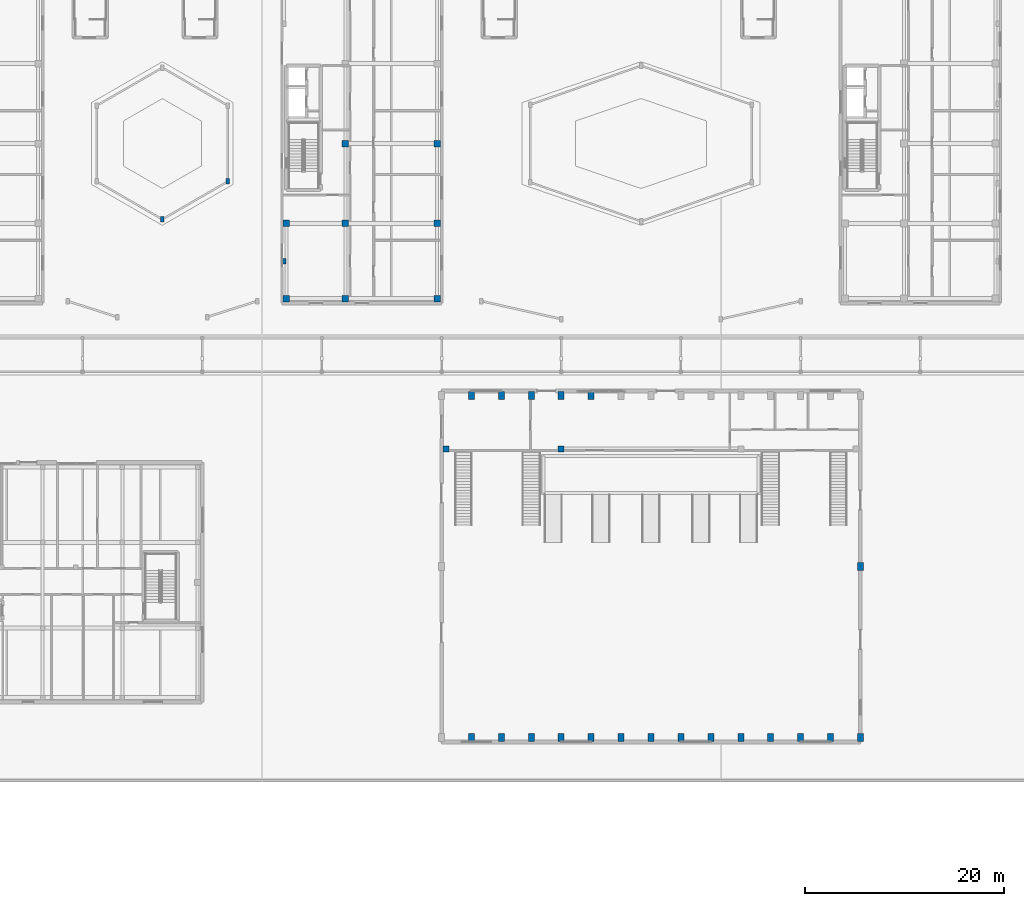
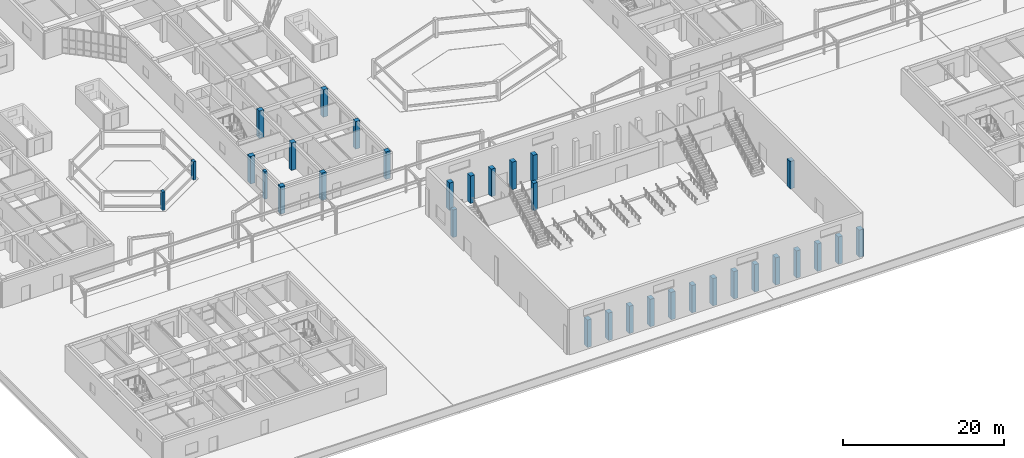
# One storey, part 5 of 114: 33 columns.
"""IFC4 building model written with IfcOpenShell, lengths in metres."""

import ifcopenshell
import ifcopenshell.guid

model = None  # the IFC model being written
_history = None  # IfcOwnerHistory: only IFC2X3 demands one
_inside = {}  # id of a spatial element -> (the spatial element, [elements in it])
_under = {}  # id of a project, library or spatial element -> (it, [spatial elements below it])
_declared = {}  # id of a project -> (the project, [libraries it declares])
_typed = {}  # id of a type object -> (the type object, [elements of that type])
_made_of = {}  # id of a material, layer set ... -> (it, [elements and type objects made of it])


def new_model(schema):
    """Start an empty IFC model of exactly this schema.

    Asked for "IFC4X3", IfcOpenShell would pick the latest addendum, in which some entities
    have other attributes; the version numbers below select the first issue.
    IFC2X3 requires an IfcOwnerHistory on every rooted entity: one is made here for all.
    """
    global model, _history
    if schema == "IFC4X3":
        model = ifcopenshell.file(schema_version=(4, 3, 0, 0))
    else:
        model = ifcopenshell.file(schema=schema)
    _inside.clear()
    _under.clear()
    _declared.clear()
    _typed.clear()
    _made_of.clear()
    _history = None
    if model.schema == "IFC2X3":
        org = make("IfcOrganization", Name="unknown")
        user = make(
            "IfcPersonAndOrganization",
            ThePerson=make("IfcPerson", FamilyName="unknown"),
            TheOrganization=org,
        )
        app = make(
            "IfcApplication",
            ApplicationDeveloper=org,
            Version="unknown",
            ApplicationFullName="unknown",
            ApplicationIdentifier="unknown",
        )
        _history = make(
            "IfcOwnerHistory",
            OwningUser=user,
            OwningApplication=app,
            ChangeAction="ADDED",
            CreationDate=0,
        )
    return model


def make(cls, **values):
    """One entity of the class cls with the attributes given. An attribute that is None is left unset."""
    return model.create_entity(
        cls, **{name: value for name, value in values.items() if value is not None}
    )


def rooted(cls, **values):
    """An entity with a GlobalId (a new one), such as an element, a storey or a relation."""
    return make(cls, GlobalId=ifcopenshell.guid.new(), OwnerHistory=_history, **values)


def si_unit(unit_type, name, prefix=None):
    """IfcSIUnit, for example si_unit("LENGTHUNIT", "METRE", prefix="MILLI")."""
    return make("IfcSIUnit", UnitType=unit_type, Prefix=prefix, Name=name)


def assignment(units):
    """IfcUnitAssignment: the units of a project."""
    return None if units is None else make("IfcUnitAssignment", Units=units)


def point(xyz):
    """IfcCartesianPoint."""
    return None if xyz is None else make("IfcCartesianPoint", Coordinates=xyz)


def direction(xyz):
    """IfcDirection."""
    return None if xyz is None else make("IfcDirection", DirectionRatios=xyz)


def frame(location, z_axis=None, x_axis=None):
    """IfcAxis2Placement3D, a coordinate frame: its origin and axes. An axis left out is left unset."""
    return make(
        "IfcAxis2Placement3D",
        Location=point(location),
        Axis=direction(z_axis),
        RefDirection=direction(x_axis),
    )


def frame_2d(location, x_axis=None):
    """IfcAxis2Placement2D, a coordinate frame in the plane: its origin and x axis."""
    return make(
        "IfcAxis2Placement2D", Location=point(location), RefDirection=direction(x_axis)
    )


def origin():
    """The frame at (0, 0, 0) with its axes left unset."""
    return frame((0.0, 0.0, 0.0))


def origin_2d():
    """The frame at (0, 0) in the plane with its x axis left unset."""
    return frame_2d((0.0, 0.0))


def place(relative_to, where):
    """IfcLocalPlacement: puts the frame where relative to a parent placement (None: the world)."""
    return make(
        "IfcLocalPlacement", PlacementRelTo=relative_to, RelativePlacement=where
    )


def context(
    kind, dimensions, precision=None, world=None, true_north=None, identifier=None
):
    """IfcGeometricRepresentationContext, for example the 3D "Model" context."""
    return make(
        "IfcGeometricRepresentationContext",
        ContextIdentifier=identifier,
        ContextType=kind,
        CoordinateSpaceDimension=dimensions,
        Precision=precision,
        WorldCoordinateSystem=world,
        TrueNorth=true_north,
    )


def subcontext(parent, identifier, kind, view, scale=None):
    """IfcGeometricRepresentationSubContext, for example "Body" below "Model"."""
    return make(
        "IfcGeometricRepresentationSubContext",
        ContextIdentifier=identifier,
        ContextType=kind,
        ParentContext=parent,
        TargetScale=scale,
        TargetView=view,
    )


def project(units=None, contexts=None):
    """IfcProject with its units and contexts."""
    return rooted(
        "IfcProject",
        Name="project",
        RepresentationContexts=contexts,
        UnitsInContext=assignment(units),
    )


def spatial(cls, under=None, at=None, **own):
    """A site, building, storey or space (cls), placed at a placement, below another one or the project."""
    s = rooted(cls, ObjectPlacement=at, **own)
    if under is not None:
        _under.setdefault(under.id(), (under, []))[1].append(s)
    return s


def profile(cls, at=None, kind="AREA", **sizes):
    """A parametric profile (cls). Its sizes go by their IFC names, for example OverallWidth=200.0."""
    return make(cls, ProfileType=kind, Position=at, **sizes)


def rectangle(**sizes):
    """IfcRectangleProfileDef."""
    return profile("IfcRectangleProfileDef", **sizes)


def extrude(swept, where, along, depth):
    """IfcExtrudedAreaSolid: the profile swept, set in the frame where, extruded along a direction by depth."""
    return make(
        "IfcExtrudedAreaSolid",
        SweptArea=swept,
        Position=where,
        ExtrudedDirection=direction(along),
        Depth=depth,
    )


def shape(context_of_items, identifier, shape_type, items):
    """IfcShapeRepresentation: the items that make up one representation, for example the "Body"."""
    return make(
        "IfcShapeRepresentation",
        ContextOfItems=context_of_items,
        RepresentationIdentifier=identifier,
        RepresentationType=shape_type,
        Items=items,
    )


def material(Name=None, Category=None):
    """IfcMaterial."""
    return make("IfcMaterial", Name=Name, Category=Category)


def material_profile(
    of_material, cross_section, Name=None, Category=None, Priority=None
):
    """IfcMaterialProfile: a cross section and its material."""
    return make(
        "IfcMaterialProfile",
        Name=Name,
        Material=of_material,
        Profile=cross_section,
        Priority=Priority,
        Category=Category,
    )


def profile_set(profiles, Name=None, composite=None):
    """IfcMaterialProfileSet."""
    return make(
        "IfcMaterialProfileSet",
        Name=Name,
        MaterialProfiles=profiles,
        CompositeProfile=composite,
    )


def made_of(thing, what):
    """Note that an element or type object is made of a material, layer set ...; save() writes the relation."""
    if what is not None:
        _made_of.setdefault(what.id(), (what, []))[1].append(thing)
    return thing


def type_object(cls, material=None, **own):
    """A type object (cls), such as IfcWallType, which elements share."""
    return made_of(rooted(cls, **own), material)


def element(
    cls,
    number,
    at=None,
    inside=None,
    cuts=None,
    type_object=None,
    material=None,
    context=None,
    identifier="Body",
    shape_type=None,
    held_by="IfcProductDefinitionShape",
    body=None,
    shapes=None,
    **own,
):
    """One element of the class cls, such as IfcWall. Its Tag is "e" and its number.

    at: its placement. inside: the storey or other place that contains it. cuts: it is an
    opening in that element (IfcRelVoidsElement). A single representation is given by context,
    identifier, shape_type and body (its items); several are given by shapes. held_by: the class
    of the entity that holds the representations. save() writes the other relations.
    """
    e = rooted(cls, Tag="e%d" % number, ObjectPlacement=at, **own)
    if body is not None:
        shapes = [shape(context, identifier, shape_type, body)]
    if shapes is not None:
        e.Representation = make(held_by, Representations=shapes)
    if inside is not None:
        _inside.setdefault(inside.id(), (inside, []))[1].append(e)
    if cuts is not None:
        rooted(
            "IfcRelVoidsElement", RelatingBuildingElement=cuts, RelatedOpeningElement=e
        )
    if type_object is not None:
        _typed.setdefault(type_object.id(), (type_object, []))[1].append(e)
    return made_of(e, material)


def aggregate(whole, parts):
    """IfcRelAggregates: a whole, such as a stair, and the parts it consists of."""
    return rooted("IfcRelAggregates", RelatingObject=whole, RelatedObjects=parts)


def save(model, path):
    """Write the relations noted so far, then the file.

    IfcRelAggregates (storeys below a building ...), IfcRelContainedInSpatialStructure (elements
    in a storey), IfcRelDefinesByType, IfcRelAssociatesMaterial and IfcRelDeclares: one each for
    every whole, place, type object, material and project.
    """
    for whole, parts in _under.values():
        aggregate(whole, parts)
    for where, things in _inside.values():
        rooted(
            "IfcRelContainedInSpatialStructure",
            RelatedElements=things,
            RelatingStructure=where,
        )
    for kind, things in _typed.values():
        rooted("IfcRelDefinesByType", RelatedObjects=things, RelatingType=kind)
    for what, things in _made_of.values():
        rooted("IfcRelAssociatesMaterial", RelatedObjects=things, RelatingMaterial=what)
    for by, libraries in _declared.values():
        rooted("IfcRelDeclares", RelatingContext=by, RelatedDefinitions=libraries)
    model.write(path)


model = new_model("IFC4")

# Units and contexts
model_context = context("Model", 3, precision=1e-05, world=origin(), true_north=direction((0.0, 1.0)))
body_context = subcontext(model_context, "Body", "Model", "MODEL_VIEW")
ifc_project = project(units=[si_unit("LENGTHUNIT", "METRE"), si_unit("AREAUNIT", "SQUARE_METRE"), si_unit("VOLUMEUNIT", "CUBIC_METRE"), si_unit("PLANEANGLEUNIT", "RADIAN"), si_unit("MASSUNIT", "GRAM", prefix="KILO")], contexts=[model_context])

# Site, building, storey
site_placement = place(None, origin())
site = spatial("IfcSite", under=ifc_project, at=site_placement, CompositionType="ELEMENT")
building_placement = place(site_placement, origin())
building = spatial("IfcBuilding", under=site, at=building_placement, Name="Keldmere Railside Commons", CompositionType="ELEMENT")
storey_placement = place(building_placement, origin())
storey = spatial("IfcBuildingStorey", under=building, at=storey_placement, Name="L00", CompositionType="ELEMENT", Elevation=0.0)

# Columns
ifc_material_1 = material(Name="Concrete H-40 (C40/50)", Category="concrete")
ifc_material_profile_1 = material_profile(ifc_material_1, rectangle(XDim=0.60009765625, YDim=0.800048828125, at=origin_2d()), Name="RC-600x800")
ifc_profile_set_1 = profile_set([ifc_material_profile_1], Name="Concrete H-40 (C40/50)")
column_type_1 = type_object("IfcColumnType", Name="Community Hall Pier Column 600x800", PredefinedType="COLUMN", material=ifc_profile_set_1)
for number, where, z_axis, x_axis, name in (
    (1, (67.0, 12.449951171875, 0.0), (0.0, 0.0, 1.0), (1.0, 0.0, 0.0), "C-HALL COL-L00-0671"),
    (2, (67.0, 46.75, 0.0), (0.0, 0.0, 1.0), (1.0, 0.0, 0.0), "C-HALL COL-L00-0674"),
    (3, (70.0, 12.449951171875, 0.0), (0.0, 0.0, 1.0), (1.0, 0.0, 0.0), "C-HALL COL-L00-0679"),
    (4, (70.0, 46.75, 0.0), (0.0, 0.0, 1.0), (1.0, 0.0, 0.0), "C-HALL COL-L00-0682"),
    (5, (73.0, 12.449951171875, 0.0), (0.0, 0.0, 1.0), (1.0, 0.0, 0.0), "C-HALL COL-L00-0720"),
    (6, (73.0, 46.75, 0.0), (0.0, 0.0, 1.0), (1.0, 0.0, 0.0), "C-HALL COL-L00-0723"),
    (7, (76.0, 12.449951171875, 0.0), (0.0, 0.0, 1.0), (1.0, 0.0, 0.0), "C-HALL COL-L00-0730"),
    (8, (76.0, 46.75, 0.0), (0.0, 0.0, 1.0), (1.0, 0.0, 0.0), "C-HALL COL-L00-0735"),
    (9, (79.0, 12.449951171875, 0.0), (0.0, 0.0, 1.0), (1.0, 0.0, 0.0), "C-HALL COL-L00-0744"),
    (10, (79.0, 46.75, 0.0), (0.0, 0.0, 1.0), (1.0, 0.0, 0.0), "C-HALL COL-L00-0747"),
    (11, (82.0, 12.449951171875, 0.0), (0.0, 0.0, 1.0), (1.0, 0.0, 0.0), "C-HALL COL-L00-0769"),
    (12, (85.0, 12.449951171875, 0.0), (0.0, 0.0, 1.0), (1.0, 0.0, 0.0), "C-HALL COL-L00-0779"),
    (13, (88.0, 12.449951171875, 0.0), (0.0, 0.0, 1.0), (1.0, 0.0, 0.0), "C-HALL COL-L00-0788"),
    (14, (91.0, 12.449951171875, 0.0), (0.0, 0.0, 1.0), (1.0, 0.0, 0.0), "C-HALL COL-L00-0802"),
    (15, (94.0, 12.449951171875, 0.0), (0.0, 0.0, 1.0), (1.0, 0.0, 0.0), "C-HALL COL-L00-0846"),
    (16, (97.0, 12.449951171875, 0.0), (0.0, 0.0, 1.0), (1.0, 0.0, 0.0), "C-HALL COL-L00-0861"),
    (17, (100.0, 12.449951171875, 0.0), (0.0, 0.0, 1.0), (1.0, 0.0, 0.0), "C-HALL COL-L00-0867"),
    (18, (103.0, 12.449951171875, 0.0), (0.0, 0.0, 1.0), (1.0, 0.0, 0.0), "C-HALL COL-L00-0915"),
    (19, (106.0, 12.449951171875, 0.0), (0.0, 0.0, 1.0), (1.0, 0.0, 0.0), "C-HALL COL-L00-0970"),
    (20, (106.0, 29.60009765625, 0.0), (0.0, 0.0, 1.0), (1.0, 0.0, 0.0), "C-HALL COL-L00-0973"),
):
    element("IfcColumn", number, at=place(storey_placement, frame(where, z_axis=z_axis, x_axis=x_axis)), inside=storey, type_object=column_type_1, Name=name, PredefinedType="COLUMN", context=body_context, shape_type="SweptSolid", body=[
        extrude(rectangle(XDim=0.60009765625, YDim=0.800048828125, at=origin_2d()), origin(), (0.0, 0.0, 1.0), 4.159912109375),
    ])
ifc_material_2 = material(Name="Architectural Precast Concrete H-35 (C35/45)", Category="concrete")
ifc_material_profile_2 = material_profile(ifc_material_2, rectangle(XDim=0.35009765625, YDim=0.550048828125, at=origin_2d()), Name="RC-350x550")
ifc_profile_set_2 = profile_set([ifc_material_profile_2], Name="Architectural Precast Concrete H-35 (C35/45)")
column_type_2 = type_object("IfcColumnType", Name="Facade Precast Pilaster Column 350x550", PredefinedType="PILASTER", material=ifc_profile_set_2)
for number, where, z_axis, x_axis, name in (
    (21, (36.0, 64.39990234375, 0.0), (0.0, 0.0, 1.0), (1.0, 0.0, 0.0), "C-PIL COL-L00-0317"),
    (22, (42.58203125, 68.199951171875, 0.0), (0.0, 0.0, 1.0), (1.0, 0.0, 0.0), "C-PIL COL-L00-0373"),
):
    element("IfcColumn", number, at=place(storey_placement, frame(where, z_axis=z_axis, x_axis=x_axis)), inside=storey, type_object=column_type_2, Name=name, PredefinedType="PILASTER", context=body_context, shape_type="SweptSolid", body=[
        extrude(rectangle(XDim=0.35009765625, YDim=0.550048828125, at=origin_2d()), origin(), (0.0, 0.0, 1.0), 2.800048828125),
    ])
column_placement = place(storey_placement, frame((48.219970703125, 60.199951171875, 0.0), z_axis=(0.0, 0.0, 1.0), x_axis=(1.0, 0.0, 0.0)))
element("IfcColumn", 23, at=column_placement, inside=storey, type_object=column_type_2, Name="C-PIL COL-L00-0417", PredefinedType="PILASTER", context=body_context, shape_type="SweptSolid", body=[
    extrude(rectangle(XDim=0.35009765625, YDim=0.550048828125, at=origin_2d()), origin(), (0.0, 0.0, 1.0), 4.159912109375),
])
ifc_material_3 = material(Name="Concrete H-35 (C35/45)", Category="concrete")
ifc_material_profile_3 = material_profile(ifc_material_3, rectangle(XDim=0.60009765625, YDim=0.60009765625, at=origin_2d()), Name="RC-600x600")
ifc_profile_set_3 = profile_set([ifc_material_profile_3], Name="Concrete H-35 (C35/45)")
column_type_3 = type_object("IfcColumnType", Name="Mid-Rise RC Column 600x600", PredefinedType="COLUMN", material=ifc_profile_set_3)
for number, where, z_axis, x_axis, name in (
    (24, (64.449951171875, 41.35009765625, 0.0), (0.0, 0.0, 1.0), (1.0, 0.0, 0.0), "C-600 COL-L00-0638"),
    (25, (76.0, 41.35009765625, 0.0), (0.0, 0.0, 1.0), (1.0, 0.0, 0.0), "C-600 COL-L00-0733"),
):
    element("IfcColumn", number, at=place(storey_placement, frame(where, z_axis=z_axis, x_axis=x_axis)), inside=storey, type_object=column_type_3, Name=name, PredefinedType="COLUMN", context=body_context, shape_type="SweptSolid", body=[
        extrude(rectangle(XDim=0.60009765625, YDim=0.60009765625, at=origin_2d()), origin(), (0.0, 0.0, 1.0), 4.159912109375),
    ])
ifc_material_profile_4 = material_profile(ifc_material_1, rectangle(XDim=0.64990234375, YDim=0.64990234375, at=origin_2d()), Name="RC-650x650")
ifc_profile_set_4 = profile_set([ifc_material_profile_4], Name="Concrete H-40 (C40/50)")
column_type_4 = type_object("IfcColumnType", Name="Podium RC Column 650x650", PredefinedType="COLUMN", material=ifc_profile_set_4)
for number, where, z_axis, x_axis, name in (
    (26, (48.449951171875, 56.449951171875, 0.0), (0.0, 0.0, 1.0), (1.0, 0.0, 0.0), "C-650 COL-L00-0432"),
    (27, (48.449951171875, 64.0, 0.0), (0.0, 0.0, 1.0), (1.0, 0.0, 0.0), "C-650 COL-L00-0439"),
    (28, (54.35009765625, 56.449951171875, 0.0), (0.0, 0.0, 1.0), (1.0, 0.0, 0.0), "C-650 COL-L00-0478"),
    (29, (54.35009765625, 64.0, 0.0), (0.0, 0.0, 1.0), (1.0, 0.0, 0.0), "C-650 COL-L00-0485"),
    (30, (54.35009765625, 72.0, 0.0), (0.0, 0.0, 1.0), (1.0, 0.0, 0.0), "C-650 COL-L00-0495"),
    (31, (63.550048828125, 56.449951171875, 0.0), (0.0, 0.0, 1.0), (1.0, 0.0, 0.0), "C-650 COL-L00-0564"),
    (32, (63.550048828125, 64.0, 0.0), (0.0, 0.0, 1.0), (1.0, 0.0, 0.0), "C-650 COL-L00-0571"),
    (33, (63.550048828125, 72.0, 0.0), (0.0, 0.0, 1.0), (1.0, 0.0, 0.0), "C-650 COL-L00-0581"),
):
    element("IfcColumn", number, at=place(storey_placement, frame(where, z_axis=z_axis, x_axis=x_axis)), inside=storey, type_object=column_type_4, Name=name, PredefinedType="COLUMN", context=body_context, shape_type="SweptSolid", body=[
        extrude(rectangle(XDim=0.64990234375, YDim=0.64990234375, at=origin_2d()), origin(), (0.0, 0.0, 1.0), 4.159912109375),
    ])

save(model, "model.ifc")
